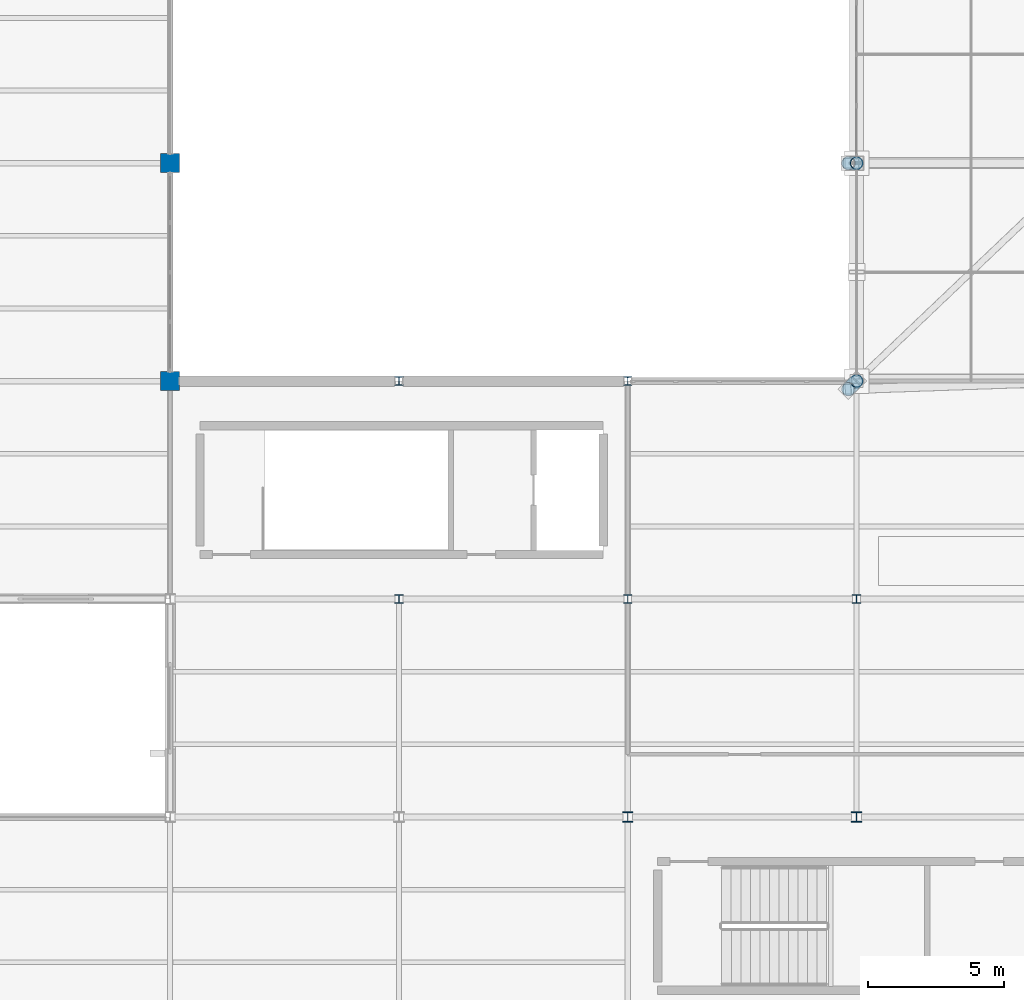
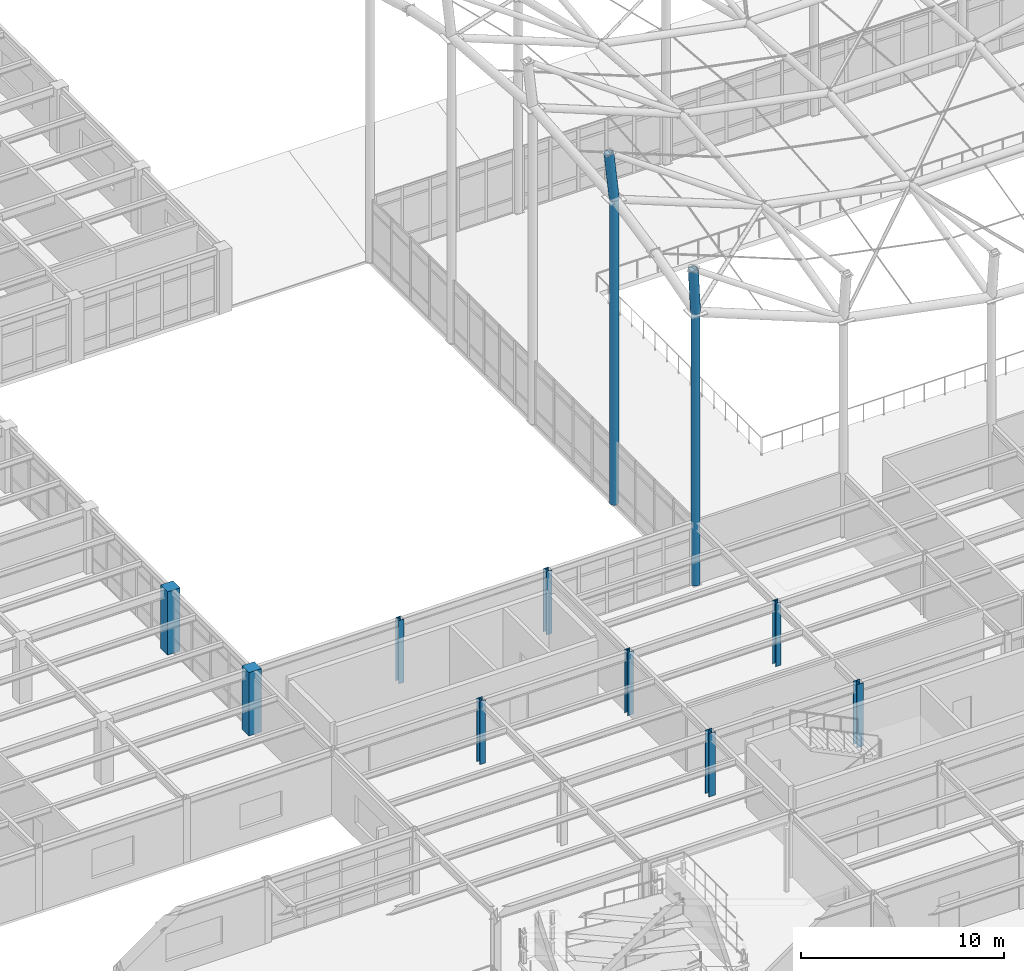
# One storey, part 5 of 138: 13 columns.
"""IFC4 building model written with IfcOpenShell, lengths in metres."""

from ifc_helpers import new_model, si_unit, direction, frame, origin, origin_2d, place, context, subcontext, project, spatial, rectangle, hollow_circle, i_section, extrude, material, material_profile, profile_set, type_object, element, save


model = new_model("IFC4")

# Units and contexts
model_context = context("Model", 3, precision=1e-05, world=origin(), true_north=direction((0.0, 1.0)))
body_context = subcontext(model_context, "Body", "Model", "MODEL_VIEW")
ifc_project = project(units=[si_unit("LENGTHUNIT", "METRE"), si_unit("AREAUNIT", "SQUARE_METRE"), si_unit("VOLUMEUNIT", "CUBIC_METRE"), si_unit("PLANEANGLEUNIT", "RADIAN"), si_unit("MASSUNIT", "GRAM", prefix="KILO")], contexts=[model_context])

# Site, building, storey
site_placement = place(None, origin())
site = spatial("IfcSite", under=ifc_project, at=site_placement, CompositionType="ELEMENT")
building_placement = place(site_placement, origin())
building = spatial("IfcBuilding", under=site, at=building_placement, Name="Kranzveld Transit Interchange", CompositionType="ELEMENT")
storey_placement = place(building_placement, frame((0.0, 0.0, 5.43994140625)))
storey = spatial("IfcBuildingStorey", under=building, at=storey_placement, Name="L01", CompositionType="ELEMENT", Elevation=5.43994140625)

# Columns
ifc_material_1 = material(Name="Concrete C35/45", Category="concrete")
ifc_material_profile_1 = material_profile(ifc_material_1, rectangle(XDim=0.699951171875, YDim=0.699951171875, at=origin_2d()), Name="RC 700x700")
ifc_profile_set_1 = profile_set([ifc_material_profile_1], Name="Concrete C35/45")
column_type_1 = type_object("IfcColumnType", Name="Column RC 700x700 C35/45", PredefinedType="COLUMN", material=ifc_profile_set_1)
for number, where, z_axis, x_axis, name in (
    (1, (33.60009765625, 56.0, 0.0), (0.0, 0.0, 1.0), (1.0, 0.0, 0.0), "L01 Column 05/H"),
    (2, (33.60009765625, 64.0, 0.0), (0.0, 0.0, 1.0), (1.0, 0.0, 0.0), "L01 Column 05/J"),
):
    element("IfcColumn", number, at=place(storey_placement, frame(where, z_axis=z_axis, x_axis=x_axis)), inside=storey, type_object=column_type_1, Name=name, PredefinedType="COLUMN", context=body_context, shape_type="SweptSolid", body=[
        extrude(rectangle(XDim=0.699951171875, YDim=0.699951171875, at=origin_2d()), origin(), (0.0, 0.0, 1.0), 3.800048828125),
    ])
ifc_material_2 = material(Name="Steel S355JR", Category="steel")
ifc_material_profile_2 = material_profile(ifc_material_2, i_section(OverallWidth=0.30908203125, OverallDepth=0.320556640625, WebThickness=0.013916015625, FlangeThickness=0.021728515625, FilletRadius=0.01513671875, at=origin_2d()), Name="UC 305x305x137")
ifc_profile_set_2 = profile_set([ifc_material_profile_2], Name="Steel S355JR")
column_type_2 = type_object("IfcColumnType", Name="Column Steel UC 305x305x137 S355JR", PredefinedType="COLUMN", material=ifc_profile_set_2)
for number, where, z_axis, x_axis, name in (
    (3, (42.0, 48.0, 0.0), (0.0, 0.0, 1.0), (1.0, 0.0, 0.0), "L01 Column 06/G"),
    (4, (42.0, 56.0, 0.0), (0.0, 0.0, 1.0), (1.0, 0.0, 0.0), "L01 Column 06/H"),
    (5, (50.39990234375, 48.0, 0.0), (0.0, 0.0, 1.0), (1.0, 0.0, 0.0), "L01 Column 07/G"),
    (6, (50.39990234375, 56.0, 0.0), (0.0, 0.0, 1.0), (1.0, 0.0, 0.0), "L01 Column 07/H"),
    (7, (58.800048828125, 48.0, 0.0), (0.0, 0.0, 1.0), (1.0, 0.0, 0.0), "L01 Column 08/G"),
):
    element("IfcColumn", number, at=place(storey_placement, frame(where, z_axis=z_axis, x_axis=x_axis)), inside=storey, type_object=column_type_2, Name=name, PredefinedType="COLUMN", context=body_context, shape_type="SweptSolid", body=[
        extrude(i_section(OverallWidth=0.30908203125, OverallDepth=0.320556640625, WebThickness=0.013916015625, FlangeThickness=0.021728515625, FilletRadius=0.01513671875, at=origin_2d()), origin(), (0.0, 0.0, 1.0), 3.800048828125),
    ])
ifc_material_3 = material(Name="Steel S355JR", Category="steel")
ifc_material_profile_3 = material_profile(ifc_material_3, i_section(OverallWidth=0.374755859375, OverallDepth=0.37451171875, WebThickness=0.0166015625, FlangeThickness=0.027099609375, FilletRadius=0.01513671875, at=origin_2d()), Name="UC 356x368x202")
ifc_profile_set_3 = profile_set([ifc_material_profile_3], Name="Steel S355JR")
column_type_3 = type_object("IfcColumnType", Name="Column Steel UC 356x368x202 S355JR", PredefinedType="COLUMN", material=ifc_profile_set_3)
for number, where, z_axis, x_axis, name in (
    (8, (50.39990234375, 40.0, 0.0), (0.0, 0.0, 1.0), (1.0, 0.0, 0.0), "L01 Column 07/F"),
    (9, (58.800048828125, 40.0, 0.0), (0.0, 0.0, 1.0), (1.0, 0.0, 0.0), "L01 Column 08/F"),
):
    element("IfcColumn", number, at=place(storey_placement, frame(where, z_axis=z_axis, x_axis=x_axis)), inside=storey, type_object=column_type_3, Name=name, PredefinedType="COLUMN", context=body_context, shape_type="SweptSolid", body=[
        extrude(i_section(OverallWidth=0.374755859375, OverallDepth=0.37451171875, WebThickness=0.0166015625, FlangeThickness=0.027099609375, FilletRadius=0.01513671875, at=origin_2d()), origin(), (0.0, 0.0, 1.0), 3.800048828125),
    ])
ifc_material_4 = material(Name="Steel S355JR", Category="steel")
ifc_material_profile_4 = material_profile(ifc_material_4, hollow_circle(Radius=0.228515625, WallThickness=0.01611328125, at=origin_2d()), Name="CHS 457x16")
ifc_profile_set_4 = profile_set([ifc_material_profile_4], Name="Steel S355JR")
column_type_4 = type_object("IfcColumnType", Name="Concourse Column CHS 457x16 S355JR", PredefinedType="COLUMN", material=ifc_profile_set_4)
column_1_placement = place(storey_placement, frame((58.800048828125, 56.0, 0.0), z_axis=(0.0, 0.0, 1.0), x_axis=(1.0, 0.0, 0.0)))
element("IfcColumn", 10, at=column_1_placement, inside=storey, type_object=column_type_4, Name="L01 Column 08/H", PredefinedType="COLUMN", context=body_context, shape_type="SweptSolid", body=[
    extrude(hollow_circle(Radius=0.228515625, WallThickness=0.01611328125, at=origin_2d()), origin(), (0.0, 0.0, 1.0), 16.280029296875),
])
column_2_placement = place(storey_placement, frame((58.800048828125, 64.0, 0.0), z_axis=(0.0, 0.0, 1.0), x_axis=(1.0, 0.0, 0.0)))
element("IfcColumn", 11, at=column_2_placement, inside=storey, type_object=column_type_4, Name="L01 Column 08/J", PredefinedType="COLUMN", context=body_context, shape_type="SweptSolid", body=[
    extrude(hollow_circle(Radius=0.228515625, WallThickness=0.01611328125, at=origin_2d()), origin(), (0.0, 0.0, 1.0), 18.22998046875),
])
ifc_material_5 = material(Name="Steel S355JR", Category="steel")
ifc_material_profile_5 = material_profile(ifc_material_5, hollow_circle(Radius=0.25390625, WallThickness=0.02001953125, at=origin_2d()), Name="CHS 508x20")
ifc_profile_set_5 = profile_set([ifc_material_profile_5], Name="Steel S355JR")
column_type_5 = type_object("IfcColumnType", Name="Saddle Mast Steel CHS 508x20 S355JR", PredefinedType="COLUMN", material=ifc_profile_set_5)
column_3_placement = place(storey_placement, frame((58.800048828125, 56.0, 16.330078125), z_axis=(-0.104849381236, -0.104849381236, 0.988945506339), x_axis=(0.707106781187, -0.707106781187, 0.0)))
element("IfcColumn", 12, at=column_3_placement, inside=storey, type_object=column_type_5, Name="Saddle Roof Mast M01 (08/H)", PredefinedType="COLUMN", context=body_context, shape_type="SweptSolid", body=[
    extrude(hollow_circle(Radius=0.25390625, WallThickness=0.02001953125, at=origin_2d()), origin(), (0.0, 0.0, 1.0), 2.86181640625),
])
column_4_placement = place(storey_placement, frame((58.800048828125, 64.0, 18.280029296875), z_axis=(-0.105430502232, 0.0, 0.994426673616), x_axis=(0.0, -1.0, 0.0)))
element("IfcColumn", 13, at=column_4_placement, inside=storey, type_object=column_type_5, Name="Saddle Roof Mast M02 (08/J)", PredefinedType="COLUMN", context=body_context, shape_type="SweptSolid", body=[
    extrude(hollow_circle(Radius=0.25390625, WallThickness=0.02001953125, at=origin_2d()), origin(), (0.0, 0.0, 1.0), 2.845947265625),
])

save(model, "model.ifc")
